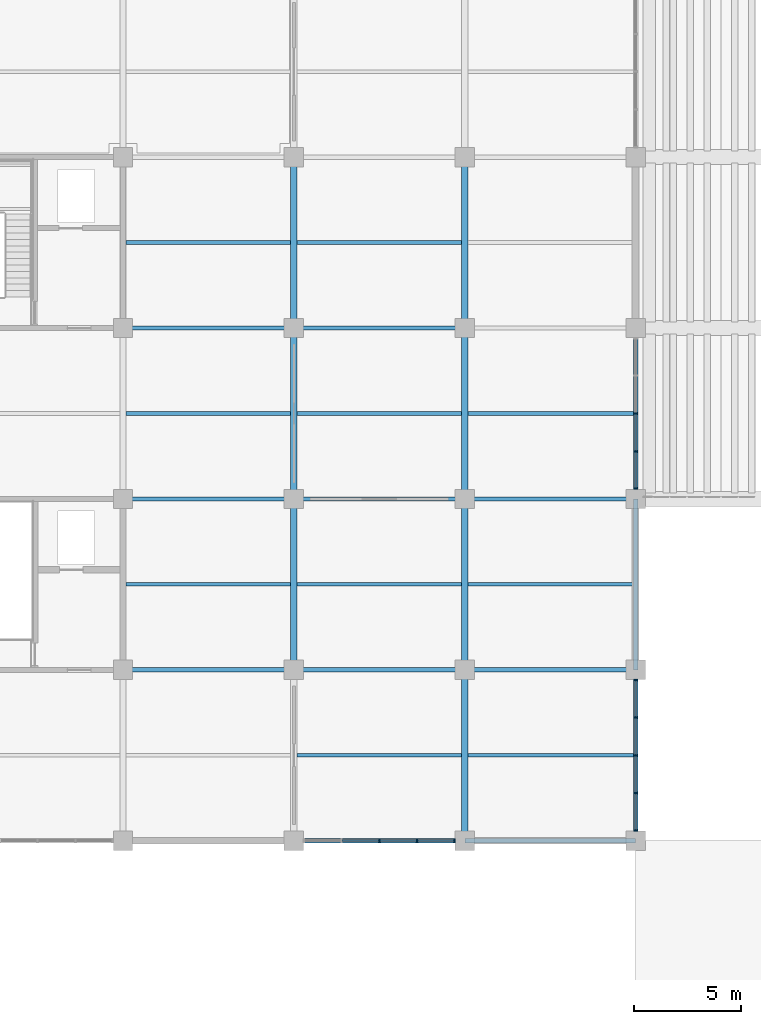
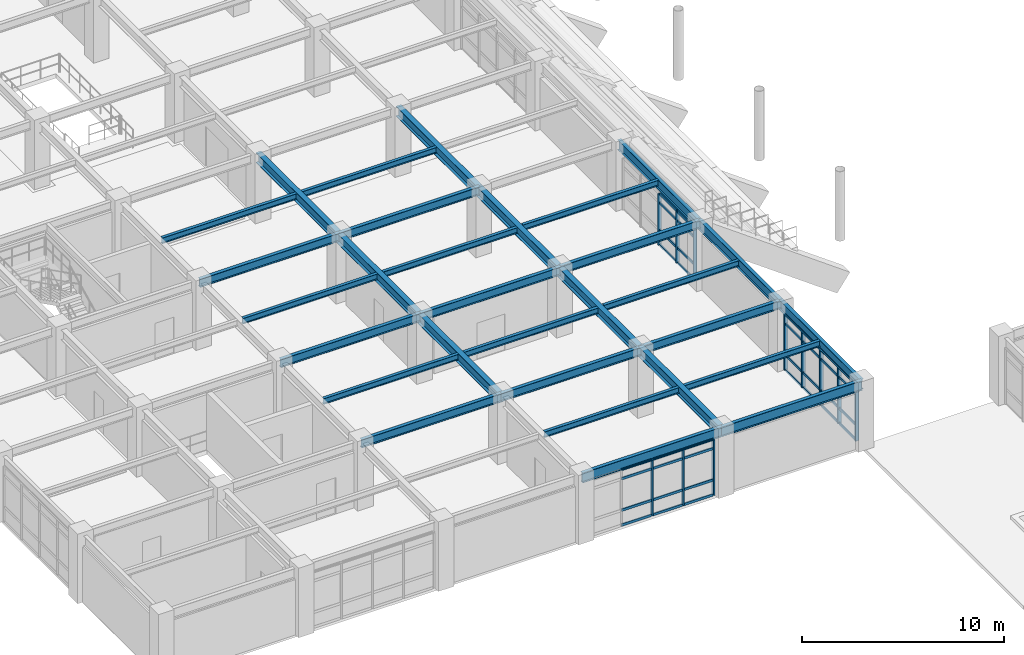
# One storey, part 19 of 118: 47 members, 30 beams, 3 elements without a shape of their own.
"""IFC4 building model written with IfcOpenShell, lengths in metres."""

from ifc_helpers import new_model, si_unit, direction, frame, origin, origin_2d, place, context, subcontext, project, spatial, rectangle, i_section, extrude, material, layer, layer_set, material_profile, profile_set, type_object, element, aggregate, save


model = new_model("IFC4")

# Units and contexts
model_context = context("Model", 3, precision=1e-05, world=origin(), true_north=direction((0.0, 1.0)))
body_context = subcontext(model_context, "Body", "Model", "MODEL_VIEW")
ifc_project = project(units=[si_unit("LENGTHUNIT", "METRE"), si_unit("AREAUNIT", "SQUARE_METRE"), si_unit("VOLUMEUNIT", "CUBIC_METRE"), si_unit("PLANEANGLEUNIT", "RADIAN"), si_unit("MASSUNIT", "GRAM", prefix="KILO")], contexts=[model_context])

# Site, building, storey
site_placement = place(None, origin())
site = spatial("IfcSite", under=ifc_project, at=site_placement, CompositionType="ELEMENT")
building_placement = place(site_placement, origin())
building = spatial("IfcBuilding", under=site, at=building_placement, Name="Haebicheon Civic Stadium", CompositionType="ELEMENT")
storey_placement = place(building_placement, frame((0.0, 0.0, 14.39990234375)))
storey = spatial("IfcBuildingStorey", under=building, at=storey_placement, Name="L04", CompositionType="ELEMENT", Elevation=14.39990234375)

# Beams
ifc_material_1 = material(Name="Steel SM355 (S355)", Category="steel")
ifc_material_profile_1 = material_profile(ifc_material_1, i_section(OverallWidth=0.199951171875, OverallDepth=0.5, WebThickness=0.010009765625, FlangeThickness=0.01611328125, at=origin_2d()), Name="H-500x200x10x16")
ifc_profile_set_1 = profile_set([ifc_material_profile_1], Name="Steel SM355 (S355)")
beam_type_1 = type_object("IfcBeamType", Name="BM-ST-H500", PredefinedType="BEAM", material=ifc_profile_set_1)
for number, where, z_axis, x_axis, name in (
    (1, (40.0, 40.0, 3.690185546875), (1.0, 0.0, 0.0), (0.0, 1.0, 0.0), "L04 beam F/6-7"),
    (2, (40.0, 48.0, 3.690185546875), (1.0, 0.0, 0.0), (0.0, 1.0, 0.0), "L04 beam G/6-7"),
    (3, (40.0, 56.0, 3.690185546875), (1.0, 0.0, 0.0), (0.0, 1.0, 0.0), "L04 beam H/6-7"),
    (4, (48.0, 40.0, 3.690185546875), (1.0, 0.0, 0.0), (0.0, 1.0, 0.0), "L04 beam F/7-8"),
    (5, (48.0, 48.0, 3.690185546875), (1.0, 0.0, 0.0), (0.0, 1.0, 0.0), "L04 beam G/7-8"),
    (6, (48.0, 56.0, 3.690185546875), (1.0, 0.0, 0.0), (0.0, 1.0, 0.0), "L04 beam H/7-8"),
    (7, (56.0, 40.0, 3.72998046875), (1.0, 0.0, 0.0), (0.0, 1.0, 0.0), "L04 beam F/8-9"),
    (8, (56.0, 48.0, 3.72998046875), (1.0, 0.0, 0.0), (0.0, 1.0, 0.0), "L04 beam G/8-9"),
):
    element("IfcBeam", number, at=place(storey_placement, frame(where, z_axis=z_axis, x_axis=x_axis)), inside=storey, type_object=beam_type_1, material=ifc_profile_set_1, Name=name, PredefinedType="BEAM", context=body_context, shape_type="SweptSolid", body=[
        extrude(i_section(OverallWidth=0.199951171875, OverallDepth=0.5, WebThickness=0.010009765625, FlangeThickness=0.01611328125, at=origin_2d()), origin(), (0.0, 0.0, 1.0), 8.0),
    ])
ifc_material_2 = material(Name="Steel SM355 (S355)", Category="steel")
ifc_material_profile_2 = material_profile(ifc_material_2, i_section(OverallWidth=0.300048828125, OverallDepth=0.60009765625, WebThickness=0.011962890625, FlangeThickness=0.02001953125, at=origin_2d()), Name="H-600x300x12x20")
ifc_profile_set_2 = profile_set([ifc_material_profile_2], Name="Steel SM355 (S355)")
beam_type_2 = type_object("IfcBeamType", Name="BM-ST-H600A", PredefinedType="BEAM", material=ifc_profile_set_2)
for number, where, z_axis, x_axis, name in (
    (9, (48.0, 40.0, 3.64013671875), (0.0, 1.0, 0.0), (-1.0, 0.0, 0.0), "L04 girder 7/F-G"),
    (10, (48.0, 48.0, 3.64013671875), (0.0, 1.0, 0.0), (-1.0, 0.0, 0.0), "L04 girder 7/G-H"),
    (11, (48.0, 56.0, 3.64013671875), (0.0, 1.0, 0.0), (-1.0, 0.0, 0.0), "L04 girder 7/H-J"),
    (12, (56.0, 32.0, 3.68017578125), (0.0, 1.0, 0.0), (-1.0, 0.0, 0.0), "L04 girder 8/E-F"),
    (13, (56.0, 40.0, 3.64013671875), (0.0, 1.0, 0.0), (-1.0, 0.0, 0.0), "L04 girder 8/F-G"),
    (14, (56.0, 48.0, 3.64013671875), (0.0, 1.0, 0.0), (-1.0, 0.0, 0.0), "L04 girder 8/G-H"),
    (15, (56.0, 56.0, 3.64013671875), (0.0, 1.0, 0.0), (-1.0, 0.0, 0.0), "L04 girder 8/H-J"),
):
    element("IfcBeam", number, at=place(storey_placement, frame(where, z_axis=z_axis, x_axis=x_axis)), inside=storey, type_object=beam_type_2, material=ifc_profile_set_2, Name=name, PredefinedType="BEAM", context=body_context, shape_type="SweptSolid", body=[
        extrude(i_section(OverallWidth=0.300048828125, OverallDepth=0.60009765625, WebThickness=0.011962890625, FlangeThickness=0.02001953125, at=origin_2d()), origin(), (0.0, 0.0, 1.0), 8.0),
    ])

# Curtain wall, members
ifc_material_3 = material(Name="Anodised aluminium and laminated glass", Category="aluminium")
ifc_layer_1 = layer(ifc_material_3, 0.179931640625, Name="Anodised aluminium and laminated glass")
ifc_layer_set_1 = layer_set([ifc_layer_1], Name="Anodised aluminium and laminated glass")
curtain_wall_type_1 = type_object("IfcCurtainWallType", Name="CW-7100x3350", PredefinedType="NOTDEFINED", material=ifc_layer_set_1)
curtain_wall_1_placement = place(storey_placement, origin())
curtain_wall_1 = element("IfcCurtainWall", 16, at=curtain_wall_1_placement, inside=storey, type_object=curtain_wall_type_1, material=ifc_layer_set_1, Name="L04 unitised curtain wall 115", PredefinedType="NOTDEFINED")
ifc_material_4 = material(Name="Anodised aluminium 6063-T6", Category="aluminium")
ifc_material_profile_3 = material_profile(ifc_material_4, rectangle(XDim=0.070068359375, YDim=0.199951171875, at=origin_2d()), Name="ALU-MULL-70x200")
ifc_profile_set_3 = profile_set([ifc_material_profile_3], Name="Anodised aluminium 6063-T6")
member_type_1 = type_object("IfcMemberType", Name="CWM-200x70", PredefinedType="MULLION", material=ifc_profile_set_3)
member_1_placement = place(storey_placement, frame((52.0, 32.0, 0.0), z_axis=(0.0, 0.0, 1.0), x_axis=(1.0, 0.0, 0.0)))
member_1 = element("IfcMember", 17, at=member_1_placement, type_object=member_type_1, material=ifc_profile_set_3, Name="CW-L04-115 vertical mullion 3", PredefinedType="MULLION", context=body_context, shape_type="SweptSolid", body=[
    extrude(rectangle(XDim=0.070068359375, YDim=0.199951171875, at=origin_2d()), origin(), (0.0, 0.0, 1.0), 3.35009765625),
])
member_2_placement = place(storey_placement, frame((53.77490234375, 32.0, 0.0), z_axis=(0.0, 0.0, 1.0), x_axis=(1.0, 0.0, 0.0)))
member_2 = element("IfcMember", 18, at=member_2_placement, type_object=member_type_1, material=ifc_profile_set_3, Name="CW-L04-115 vertical mullion 4", PredefinedType="MULLION", context=body_context, shape_type="SweptSolid", body=[
    extrude(rectangle(XDim=0.070068359375, YDim=0.199951171875, at=origin_2d()), origin(), (0.0, 0.0, 1.0), 3.35009765625),
])
member_3_placement = place(storey_placement, frame((55.514892578125, 32.0, 0.0), z_axis=(0.0, 0.0, 1.0), x_axis=(1.0, 0.0, 0.0)))
member_3 = element("IfcMember", 19, at=member_3_placement, type_object=member_type_1, material=ifc_profile_set_3, Name="CW-L04-115 vertical mullion 5", PredefinedType="MULLION", context=body_context, shape_type="SweptSolid", body=[
    extrude(rectangle(XDim=0.070068359375, YDim=0.199951171875, at=origin_2d()), origin(), (0.0, 0.0, 1.0), 3.35009765625),
])

curtain_wall_2_placement = place(storey_placement, origin())
curtain_wall_2 = element("IfcCurtainWall", 20, at=curtain_wall_2_placement, inside=storey, type_object=curtain_wall_type_1, material=ifc_layer_set_1, Name="L04 unitised curtain wall 116", PredefinedType="NOTDEFINED")
member_4_placement = place(storey_placement, frame((64.0, 32.485107421875, 0.0), z_axis=(0.0, 0.0, 1.0), x_axis=(0.0, 1.0, 0.0)))
member_4 = element("IfcMember", 21, at=member_4_placement, type_object=member_type_1, material=ifc_profile_set_3, Name="CW-L04-116 vertical mullion 1", PredefinedType="MULLION", context=body_context, shape_type="SweptSolid", body=[
    extrude(rectangle(XDim=0.070068359375, YDim=0.199951171875, at=origin_2d()), origin(), (0.0, 0.0, 1.0), 3.35009765625),
])
member_5_placement = place(storey_placement, frame((64.0, 34.22509765625, 0.0), z_axis=(0.0, 0.0, 1.0), x_axis=(0.0, 1.0, 0.0)))
member_5 = element("IfcMember", 22, at=member_5_placement, type_object=member_type_1, material=ifc_profile_set_3, Name="CW-L04-116 vertical mullion 2", PredefinedType="MULLION", context=body_context, shape_type="SweptSolid", body=[
    extrude(rectangle(XDim=0.070068359375, YDim=0.199951171875, at=origin_2d()), origin(), (0.0, 0.0, 1.0), 3.35009765625),
])
member_6_placement = place(storey_placement, frame((64.0, 36.0, 0.0), z_axis=(0.0, 0.0, 1.0), x_axis=(0.0, 1.0, 0.0)))
member_6 = element("IfcMember", 23, at=member_6_placement, type_object=member_type_1, material=ifc_profile_set_3, Name="CW-L04-116 vertical mullion 3", PredefinedType="MULLION", context=body_context, shape_type="SweptSolid", body=[
    extrude(rectangle(XDim=0.070068359375, YDim=0.199951171875, at=origin_2d()), origin(), (0.0, 0.0, 1.0), 3.35009765625),
])
member_7_placement = place(storey_placement, frame((64.0, 37.77490234375, 0.0), z_axis=(0.0, 0.0, 1.0), x_axis=(0.0, 1.0, 0.0)))
member_7 = element("IfcMember", 24, at=member_7_placement, type_object=member_type_1, material=ifc_profile_set_3, Name="CW-L04-116 vertical mullion 4", PredefinedType="MULLION", context=body_context, shape_type="SweptSolid", body=[
    extrude(rectangle(XDim=0.070068359375, YDim=0.199951171875, at=origin_2d()), origin(), (0.0, 0.0, 1.0), 3.35009765625),
])
member_8_placement = place(storey_placement, frame((64.0, 39.514892578125, 0.0), z_axis=(0.0, 0.0, 1.0), x_axis=(0.0, 1.0, 0.0)))
member_8 = element("IfcMember", 25, at=member_8_placement, type_object=member_type_1, material=ifc_profile_set_3, Name="CW-L04-116 vertical mullion 5", PredefinedType="MULLION", context=body_context, shape_type="SweptSolid", body=[
    extrude(rectangle(XDim=0.070068359375, YDim=0.199951171875, at=origin_2d()), origin(), (0.0, 0.0, 1.0), 3.35009765625),
])

ifc_material_5 = material(Name="Anodised aluminium and laminated glass", Category="aluminium")
ifc_layer_2 = layer(ifc_material_5, 0.179931640625, Name="Anodised aluminium and laminated glass")
ifc_layer_set_2 = layer_set([ifc_layer_2], Name="Anodised aluminium and laminated glass")
curtain_wall_type_2 = type_object("IfcCurtainWallType", Name="CW-7100x3100", PredefinedType="NOTDEFINED", material=ifc_layer_set_2)
curtain_wall_3_placement = place(storey_placement, origin())
curtain_wall_3 = element("IfcCurtainWall", 26, at=curtain_wall_3_placement, inside=storey, type_object=curtain_wall_type_2, material=ifc_layer_set_2, Name="L04 unitised curtain wall 117", PredefinedType="NOTDEFINED")
member_9_placement = place(storey_placement, frame((64.0, 48.485107421875, 0.0), z_axis=(0.0, 0.0, 1.0), x_axis=(0.0, 1.0, 0.0)))
member_9 = element("IfcMember", 27, at=member_9_placement, type_object=member_type_1, material=ifc_profile_set_3, Name="CW-L04-117 vertical mullion 1", PredefinedType="MULLION", context=body_context, shape_type="SweptSolid", body=[
    extrude(rectangle(XDim=0.070068359375, YDim=0.199951171875, at=origin_2d()), origin(), (0.0, 0.0, 1.0), 3.10009765625),
])
member_10_placement = place(storey_placement, frame((64.0, 50.22509765625, 0.0), z_axis=(0.0, 0.0, 1.0), x_axis=(0.0, 1.0, 0.0)))
member_10 = element("IfcMember", 28, at=member_10_placement, type_object=member_type_1, material=ifc_profile_set_3, Name="CW-L04-117 vertical mullion 2", PredefinedType="MULLION", context=body_context, shape_type="SweptSolid", body=[
    extrude(rectangle(XDim=0.070068359375, YDim=0.199951171875, at=origin_2d()), origin(), (0.0, 0.0, 1.0), 3.10009765625),
])
member_11_placement = place(storey_placement, frame((64.0, 52.0, 0.0), z_axis=(0.0, 0.0, 1.0), x_axis=(0.0, 1.0, 0.0)))
member_11 = element("IfcMember", 29, at=member_11_placement, type_object=member_type_1, material=ifc_profile_set_3, Name="CW-L04-117 vertical mullion 3", PredefinedType="MULLION", context=body_context, shape_type="SweptSolid", body=[
    extrude(rectangle(XDim=0.070068359375, YDim=0.199951171875, at=origin_2d()), origin(), (0.0, 0.0, 1.0), 3.10009765625),
])

# Member
ifc_material_6 = material(Name="Anodised aluminium 6063-T6", Category="aluminium")
ifc_material_profile_4 = material_profile(ifc_material_6, rectangle(XDim=0.070068359375, YDim=0.14990234375, at=origin_2d()), Name="ALU-TRAN-70x150")
ifc_profile_set_4 = profile_set([ifc_material_profile_4], Name="Anodised aluminium 6063-T6")
member_type_2 = type_object("IfcMemberType", Name="CWT-150x70", PredefinedType="NOTDEFINED", material=ifc_profile_set_4)
member_12_placement = place(storey_placement, frame((50.260009765625, 32.0, 0.0), z_axis=(1.0, 0.0, 0.0), x_axis=(0.0, 1.0, 0.0)))
member_12 = element("IfcMember", 30, at=member_12_placement, type_object=member_type_2, material=ifc_profile_set_4, Name="CW-L04-115 horizontal transom 2.1", ObjectType="TRANSOM", PredefinedType="USERDEFINED", context=body_context, shape_type="SweptSolid", body=[
    extrude(rectangle(XDim=0.070068359375, YDim=0.14990234375, at=origin_2d()), origin(), (0.0, 0.0, 1.0), 1.705078125),
])

member_13_placement = place(storey_placement, frame((50.260009765625, 32.0, 0.900146484375), z_axis=(1.0, 0.0, 0.0), x_axis=(0.0, 1.0, 0.0)))
member_13 = element("IfcMember", 31, at=member_13_placement, type_object=member_type_2, material=ifc_profile_set_4, Name="CW-L04-115 horizontal transom 2.2", ObjectType="TRANSOM", PredefinedType="USERDEFINED", context=body_context, shape_type="SweptSolid", body=[
    extrude(rectangle(XDim=0.070068359375, YDim=0.14990234375, at=origin_2d()), origin(), (0.0, 0.0, 1.0), 1.705078125),
])

member_14_placement = place(storey_placement, frame((50.260009765625, 32.0, 2.800048828125), z_axis=(1.0, 0.0, 0.0), x_axis=(0.0, 1.0, 0.0)))
member_14 = element("IfcMember", 32, at=member_14_placement, type_object=member_type_2, material=ifc_profile_set_4, Name="CW-L04-115 horizontal transom 2.3", ObjectType="TRANSOM", PredefinedType="USERDEFINED", context=body_context, shape_type="SweptSolid", body=[
    extrude(rectangle(XDim=0.070068359375, YDim=0.14990234375, at=origin_2d()), origin(), (0.0, 0.0, 1.0), 1.705078125),
])

member_15_placement = place(storey_placement, frame((50.260009765625, 32.0, 3.35009765625), z_axis=(1.0, 0.0, 0.0), x_axis=(0.0, 1.0, 0.0)))
member_15 = element("IfcMember", 33, at=member_15_placement, type_object=member_type_2, material=ifc_profile_set_4, Name="CW-L04-115 horizontal transom 2.4", ObjectType="TRANSOM", PredefinedType="USERDEFINED", context=body_context, shape_type="SweptSolid", body=[
    extrude(rectangle(XDim=0.070068359375, YDim=0.14990234375, at=origin_2d()), origin(), (0.0, 0.0, 1.0), 1.705078125),
])

member_16_placement = place(storey_placement, frame((52.034912109375, 32.0, 0.0), z_axis=(1.0, 0.0, 0.0), x_axis=(0.0, 1.0, 0.0)))
member_16 = element("IfcMember", 34, at=member_16_placement, type_object=member_type_2, material=ifc_profile_set_4, Name="CW-L04-115 horizontal transom 3.1", ObjectType="TRANSOM", PredefinedType="USERDEFINED", context=body_context, shape_type="SweptSolid", body=[
    extrude(rectangle(XDim=0.070068359375, YDim=0.14990234375, at=origin_2d()), origin(), (0.0, 0.0, 1.0), 1.705078125),
])

member_17_placement = place(storey_placement, frame((52.034912109375, 32.0, 0.900146484375), z_axis=(1.0, 0.0, 0.0), x_axis=(0.0, 1.0, 0.0)))
member_17 = element("IfcMember", 35, at=member_17_placement, type_object=member_type_2, material=ifc_profile_set_4, Name="CW-L04-115 horizontal transom 3.2", ObjectType="TRANSOM", PredefinedType="USERDEFINED", context=body_context, shape_type="SweptSolid", body=[
    extrude(rectangle(XDim=0.070068359375, YDim=0.14990234375, at=origin_2d()), origin(), (0.0, 0.0, 1.0), 1.705078125),
])

member_18_placement = place(storey_placement, frame((52.034912109375, 32.0, 2.800048828125), z_axis=(1.0, 0.0, 0.0), x_axis=(0.0, 1.0, 0.0)))
member_18 = element("IfcMember", 36, at=member_18_placement, type_object=member_type_2, material=ifc_profile_set_4, Name="CW-L04-115 horizontal transom 3.3", ObjectType="TRANSOM", PredefinedType="USERDEFINED", context=body_context, shape_type="SweptSolid", body=[
    extrude(rectangle(XDim=0.070068359375, YDim=0.14990234375, at=origin_2d()), origin(), (0.0, 0.0, 1.0), 1.705078125),
])

member_19_placement = place(storey_placement, frame((52.034912109375, 32.0, 3.35009765625), z_axis=(1.0, 0.0, 0.0), x_axis=(0.0, 1.0, 0.0)))
member_19 = element("IfcMember", 37, at=member_19_placement, type_object=member_type_2, material=ifc_profile_set_4, Name="CW-L04-115 horizontal transom 3.4", ObjectType="TRANSOM", PredefinedType="USERDEFINED", context=body_context, shape_type="SweptSolid", body=[
    extrude(rectangle(XDim=0.070068359375, YDim=0.14990234375, at=origin_2d()), origin(), (0.0, 0.0, 1.0), 1.705078125),
])

member_20_placement = place(storey_placement, frame((53.81005859375, 32.0, 0.0), z_axis=(1.0, 0.0, 0.0), x_axis=(0.0, 1.0, 0.0)))
member_20 = element("IfcMember", 38, at=member_20_placement, type_object=member_type_2, material=ifc_profile_set_4, Name="CW-L04-115 horizontal transom 4.1", ObjectType="TRANSOM", PredefinedType="USERDEFINED", context=body_context, shape_type="SweptSolid", body=[
    extrude(rectangle(XDim=0.070068359375, YDim=0.14990234375, at=origin_2d()), origin(), (0.0, 0.0, 1.0), 1.669921875),
])

member_21_placement = place(storey_placement, frame((53.81005859375, 32.0, 0.900146484375), z_axis=(1.0, 0.0, 0.0), x_axis=(0.0, 1.0, 0.0)))
member_21 = element("IfcMember", 39, at=member_21_placement, type_object=member_type_2, material=ifc_profile_set_4, Name="CW-L04-115 horizontal transom 4.2", ObjectType="TRANSOM", PredefinedType="USERDEFINED", context=body_context, shape_type="SweptSolid", body=[
    extrude(rectangle(XDim=0.070068359375, YDim=0.14990234375, at=origin_2d()), origin(), (0.0, 0.0, 1.0), 1.669921875),
])

member_22_placement = place(storey_placement, frame((53.81005859375, 32.0, 2.800048828125), z_axis=(1.0, 0.0, 0.0), x_axis=(0.0, 1.0, 0.0)))
member_22 = element("IfcMember", 40, at=member_22_placement, type_object=member_type_2, material=ifc_profile_set_4, Name="CW-L04-115 horizontal transom 4.3", ObjectType="TRANSOM", PredefinedType="USERDEFINED", context=body_context, shape_type="SweptSolid", body=[
    extrude(rectangle(XDim=0.070068359375, YDim=0.14990234375, at=origin_2d()), origin(), (0.0, 0.0, 1.0), 1.669921875),
])

member_23_placement = place(storey_placement, frame((53.81005859375, 32.0, 3.35009765625), z_axis=(1.0, 0.0, 0.0), x_axis=(0.0, 1.0, 0.0)))
member_23 = element("IfcMember", 41, at=member_23_placement, type_object=member_type_2, material=ifc_profile_set_4, Name="CW-L04-115 horizontal transom 4.4", ObjectType="TRANSOM", PredefinedType="USERDEFINED", context=body_context, shape_type="SweptSolid", body=[
    extrude(rectangle(XDim=0.070068359375, YDim=0.14990234375, at=origin_2d()), origin(), (0.0, 0.0, 1.0), 1.669921875),
])

aggregate(curtain_wall_1, [member_1, member_2, member_3, member_12, member_13, member_14, member_15, member_16, member_17, member_18, member_19, member_20, member_21, member_22, member_23])

member_24_placement = place(storey_placement, frame((64.0, 32.52001953125, 0.0), z_axis=(0.0, 1.0, 0.0), x_axis=(-1.0, 0.0, 0.0)))
member_24 = element("IfcMember", 42, at=member_24_placement, type_object=member_type_2, material=ifc_profile_set_4, Name="CW-L04-116 horizontal transom 1.1", ObjectType="TRANSOM", PredefinedType="USERDEFINED", context=body_context, shape_type="SweptSolid", body=[
    extrude(rectangle(XDim=0.070068359375, YDim=0.14990234375, at=origin_2d()), origin(), (0.0, 0.0, 1.0), 1.669921875),
])

member_25_placement = place(storey_placement, frame((64.0, 32.52001953125, 0.900146484375), z_axis=(0.0, 1.0, 0.0), x_axis=(-1.0, 0.0, 0.0)))
member_25 = element("IfcMember", 43, at=member_25_placement, type_object=member_type_2, material=ifc_profile_set_4, Name="CW-L04-116 horizontal transom 1.2", ObjectType="TRANSOM", PredefinedType="USERDEFINED", context=body_context, shape_type="SweptSolid", body=[
    extrude(rectangle(XDim=0.070068359375, YDim=0.14990234375, at=origin_2d()), origin(), (0.0, 0.0, 1.0), 1.669921875),
])

member_26_placement = place(storey_placement, frame((64.0, 32.52001953125, 2.800048828125), z_axis=(0.0, 1.0, 0.0), x_axis=(-1.0, 0.0, 0.0)))
member_26 = element("IfcMember", 44, at=member_26_placement, type_object=member_type_2, material=ifc_profile_set_4, Name="CW-L04-116 horizontal transom 1.3", ObjectType="TRANSOM", PredefinedType="USERDEFINED", context=body_context, shape_type="SweptSolid", body=[
    extrude(rectangle(XDim=0.070068359375, YDim=0.14990234375, at=origin_2d()), origin(), (0.0, 0.0, 1.0), 1.669921875),
])

member_27_placement = place(storey_placement, frame((64.0, 32.52001953125, 3.35009765625), z_axis=(0.0, 1.0, 0.0), x_axis=(-1.0, 0.0, 0.0)))
member_27 = element("IfcMember", 45, at=member_27_placement, type_object=member_type_2, material=ifc_profile_set_4, Name="CW-L04-116 horizontal transom 1.4", ObjectType="TRANSOM", PredefinedType="USERDEFINED", context=body_context, shape_type="SweptSolid", body=[
    extrude(rectangle(XDim=0.070068359375, YDim=0.14990234375, at=origin_2d()), origin(), (0.0, 0.0, 1.0), 1.669921875),
])

member_28_placement = place(storey_placement, frame((64.0, 34.260009765625, 0.0), z_axis=(0.0, 1.0, 0.0), x_axis=(-1.0, 0.0, 0.0)))
member_28 = element("IfcMember", 46, at=member_28_placement, type_object=member_type_2, material=ifc_profile_set_4, Name="CW-L04-116 horizontal transom 2.1", ObjectType="TRANSOM", PredefinedType="USERDEFINED", context=body_context, shape_type="SweptSolid", body=[
    extrude(rectangle(XDim=0.070068359375, YDim=0.14990234375, at=origin_2d()), origin(), (0.0, 0.0, 1.0), 1.705078125),
])

member_29_placement = place(storey_placement, frame((64.0, 34.260009765625, 0.900146484375), z_axis=(0.0, 1.0, 0.0), x_axis=(-1.0, 0.0, 0.0)))
member_29 = element("IfcMember", 47, at=member_29_placement, type_object=member_type_2, material=ifc_profile_set_4, Name="CW-L04-116 horizontal transom 2.2", ObjectType="TRANSOM", PredefinedType="USERDEFINED", context=body_context, shape_type="SweptSolid", body=[
    extrude(rectangle(XDim=0.070068359375, YDim=0.14990234375, at=origin_2d()), origin(), (0.0, 0.0, 1.0), 1.705078125),
])

member_30_placement = place(storey_placement, frame((64.0, 34.260009765625, 2.800048828125), z_axis=(0.0, 1.0, 0.0), x_axis=(-1.0, 0.0, 0.0)))
member_30 = element("IfcMember", 48, at=member_30_placement, type_object=member_type_2, material=ifc_profile_set_4, Name="CW-L04-116 horizontal transom 2.3", ObjectType="TRANSOM", PredefinedType="USERDEFINED", context=body_context, shape_type="SweptSolid", body=[
    extrude(rectangle(XDim=0.070068359375, YDim=0.14990234375, at=origin_2d()), origin(), (0.0, 0.0, 1.0), 1.705078125),
])

member_31_placement = place(storey_placement, frame((64.0, 34.260009765625, 3.35009765625), z_axis=(0.0, 1.0, 0.0), x_axis=(-1.0, 0.0, 0.0)))
member_31 = element("IfcMember", 49, at=member_31_placement, type_object=member_type_2, material=ifc_profile_set_4, Name="CW-L04-116 horizontal transom 2.4", ObjectType="TRANSOM", PredefinedType="USERDEFINED", context=body_context, shape_type="SweptSolid", body=[
    extrude(rectangle(XDim=0.070068359375, YDim=0.14990234375, at=origin_2d()), origin(), (0.0, 0.0, 1.0), 1.705078125),
])

member_32_placement = place(storey_placement, frame((64.0, 36.034912109375, 0.0), z_axis=(0.0, 1.0, 0.0), x_axis=(-1.0, 0.0, 0.0)))
member_32 = element("IfcMember", 50, at=member_32_placement, type_object=member_type_2, material=ifc_profile_set_4, Name="CW-L04-116 horizontal transom 3.1", ObjectType="TRANSOM", PredefinedType="USERDEFINED", context=body_context, shape_type="SweptSolid", body=[
    extrude(rectangle(XDim=0.070068359375, YDim=0.14990234375, at=origin_2d()), origin(), (0.0, 0.0, 1.0), 1.705078125),
])

member_33_placement = place(storey_placement, frame((64.0, 36.034912109375, 0.900146484375), z_axis=(0.0, 1.0, 0.0), x_axis=(-1.0, 0.0, 0.0)))
member_33 = element("IfcMember", 51, at=member_33_placement, type_object=member_type_2, material=ifc_profile_set_4, Name="CW-L04-116 horizontal transom 3.2", ObjectType="TRANSOM", PredefinedType="USERDEFINED", context=body_context, shape_type="SweptSolid", body=[
    extrude(rectangle(XDim=0.070068359375, YDim=0.14990234375, at=origin_2d()), origin(), (0.0, 0.0, 1.0), 1.705078125),
])

member_34_placement = place(storey_placement, frame((64.0, 36.034912109375, 2.800048828125), z_axis=(0.0, 1.0, 0.0), x_axis=(-1.0, 0.0, 0.0)))
member_34 = element("IfcMember", 52, at=member_34_placement, type_object=member_type_2, material=ifc_profile_set_4, Name="CW-L04-116 horizontal transom 3.3", ObjectType="TRANSOM", PredefinedType="USERDEFINED", context=body_context, shape_type="SweptSolid", body=[
    extrude(rectangle(XDim=0.070068359375, YDim=0.14990234375, at=origin_2d()), origin(), (0.0, 0.0, 1.0), 1.705078125),
])

member_35_placement = place(storey_placement, frame((64.0, 36.034912109375, 3.35009765625), z_axis=(0.0, 1.0, 0.0), x_axis=(-1.0, 0.0, 0.0)))
member_35 = element("IfcMember", 53, at=member_35_placement, type_object=member_type_2, material=ifc_profile_set_4, Name="CW-L04-116 horizontal transom 3.4", ObjectType="TRANSOM", PredefinedType="USERDEFINED", context=body_context, shape_type="SweptSolid", body=[
    extrude(rectangle(XDim=0.070068359375, YDim=0.14990234375, at=origin_2d()), origin(), (0.0, 0.0, 1.0), 1.705078125),
])

member_36_placement = place(storey_placement, frame((64.0, 37.81005859375, 0.0), z_axis=(0.0, 1.0, 0.0), x_axis=(-1.0, 0.0, 0.0)))
member_36 = element("IfcMember", 54, at=member_36_placement, type_object=member_type_2, material=ifc_profile_set_4, Name="CW-L04-116 horizontal transom 4.1", ObjectType="TRANSOM", PredefinedType="USERDEFINED", context=body_context, shape_type="SweptSolid", body=[
    extrude(rectangle(XDim=0.070068359375, YDim=0.14990234375, at=origin_2d()), origin(), (0.0, 0.0, 1.0), 1.669921875),
])

member_37_placement = place(storey_placement, frame((64.0, 37.81005859375, 0.900146484375), z_axis=(0.0, 1.0, 0.0), x_axis=(-1.0, 0.0, 0.0)))
member_37 = element("IfcMember", 55, at=member_37_placement, type_object=member_type_2, material=ifc_profile_set_4, Name="CW-L04-116 horizontal transom 4.2", ObjectType="TRANSOM", PredefinedType="USERDEFINED", context=body_context, shape_type="SweptSolid", body=[
    extrude(rectangle(XDim=0.070068359375, YDim=0.14990234375, at=origin_2d()), origin(), (0.0, 0.0, 1.0), 1.669921875),
])

member_38_placement = place(storey_placement, frame((64.0, 37.81005859375, 2.800048828125), z_axis=(0.0, 1.0, 0.0), x_axis=(-1.0, 0.0, 0.0)))
member_38 = element("IfcMember", 56, at=member_38_placement, type_object=member_type_2, material=ifc_profile_set_4, Name="CW-L04-116 horizontal transom 4.3", ObjectType="TRANSOM", PredefinedType="USERDEFINED", context=body_context, shape_type="SweptSolid", body=[
    extrude(rectangle(XDim=0.070068359375, YDim=0.14990234375, at=origin_2d()), origin(), (0.0, 0.0, 1.0), 1.669921875),
])

member_39_placement = place(storey_placement, frame((64.0, 37.81005859375, 3.35009765625), z_axis=(0.0, 1.0, 0.0), x_axis=(-1.0, 0.0, 0.0)))
member_39 = element("IfcMember", 57, at=member_39_placement, type_object=member_type_2, material=ifc_profile_set_4, Name="CW-L04-116 horizontal transom 4.4", ObjectType="TRANSOM", PredefinedType="USERDEFINED", context=body_context, shape_type="SweptSolid", body=[
    extrude(rectangle(XDim=0.070068359375, YDim=0.14990234375, at=origin_2d()), origin(), (0.0, 0.0, 1.0), 1.669921875),
])

aggregate(curtain_wall_2, [member_4, member_5, member_6, member_7, member_8, member_24, member_25, member_26, member_27, member_28, member_29, member_30, member_31, member_32, member_33, member_34, member_35, member_36, member_37, member_38, member_39])

member_40_placement = place(storey_placement, frame((64.0, 48.52001953125, 0.0), z_axis=(0.0, 1.0, 0.0), x_axis=(-1.0, 0.0, 0.0)))
member_40 = element("IfcMember", 58, at=member_40_placement, type_object=member_type_2, material=ifc_profile_set_4, Name="CW-L04-117 horizontal transom 1.1", ObjectType="TRANSOM", PredefinedType="USERDEFINED", context=body_context, shape_type="SweptSolid", body=[
    extrude(rectangle(XDim=0.070068359375, YDim=0.14990234375, at=origin_2d()), origin(), (0.0, 0.0, 1.0), 1.669921875),
])

member_41_placement = place(storey_placement, frame((64.0, 48.52001953125, 0.900146484375), z_axis=(0.0, 1.0, 0.0), x_axis=(-1.0, 0.0, 0.0)))
member_41 = element("IfcMember", 59, at=member_41_placement, type_object=member_type_2, material=ifc_profile_set_4, Name="CW-L04-117 horizontal transom 1.2", ObjectType="TRANSOM", PredefinedType="USERDEFINED", context=body_context, shape_type="SweptSolid", body=[
    extrude(rectangle(XDim=0.070068359375, YDim=0.14990234375, at=origin_2d()), origin(), (0.0, 0.0, 1.0), 1.669921875),
])

member_42_placement = place(storey_placement, frame((64.0, 48.52001953125, 2.550048828125), z_axis=(0.0, 1.0, 0.0), x_axis=(-1.0, 0.0, 0.0)))
member_42 = element("IfcMember", 60, at=member_42_placement, type_object=member_type_2, material=ifc_profile_set_4, Name="CW-L04-117 horizontal transom 1.3", ObjectType="TRANSOM", PredefinedType="USERDEFINED", context=body_context, shape_type="SweptSolid", body=[
    extrude(rectangle(XDim=0.070068359375, YDim=0.14990234375, at=origin_2d()), origin(), (0.0, 0.0, 1.0), 1.669921875),
])

member_43_placement = place(storey_placement, frame((64.0, 48.52001953125, 3.10009765625), z_axis=(0.0, 1.0, 0.0), x_axis=(-1.0, 0.0, 0.0)))
member_43 = element("IfcMember", 61, at=member_43_placement, type_object=member_type_2, material=ifc_profile_set_4, Name="CW-L04-117 horizontal transom 1.4", ObjectType="TRANSOM", PredefinedType="USERDEFINED", context=body_context, shape_type="SweptSolid", body=[
    extrude(rectangle(XDim=0.070068359375, YDim=0.14990234375, at=origin_2d()), origin(), (0.0, 0.0, 1.0), 1.669921875),
])

member_44_placement = place(storey_placement, frame((64.0, 50.260009765625, 0.0), z_axis=(0.0, 1.0, 0.0), x_axis=(-1.0, 0.0, 0.0)))
member_44 = element("IfcMember", 62, at=member_44_placement, type_object=member_type_2, material=ifc_profile_set_4, Name="CW-L04-117 horizontal transom 2.1", ObjectType="TRANSOM", PredefinedType="USERDEFINED", context=body_context, shape_type="SweptSolid", body=[
    extrude(rectangle(XDim=0.070068359375, YDim=0.14990234375, at=origin_2d()), origin(), (0.0, 0.0, 1.0), 1.705078125),
])

member_45_placement = place(storey_placement, frame((64.0, 50.260009765625, 0.900146484375), z_axis=(0.0, 1.0, 0.0), x_axis=(-1.0, 0.0, 0.0)))
member_45 = element("IfcMember", 63, at=member_45_placement, type_object=member_type_2, material=ifc_profile_set_4, Name="CW-L04-117 horizontal transom 2.2", ObjectType="TRANSOM", PredefinedType="USERDEFINED", context=body_context, shape_type="SweptSolid", body=[
    extrude(rectangle(XDim=0.070068359375, YDim=0.14990234375, at=origin_2d()), origin(), (0.0, 0.0, 1.0), 1.705078125),
])

member_46_placement = place(storey_placement, frame((64.0, 50.260009765625, 2.550048828125), z_axis=(0.0, 1.0, 0.0), x_axis=(-1.0, 0.0, 0.0)))
member_46 = element("IfcMember", 64, at=member_46_placement, type_object=member_type_2, material=ifc_profile_set_4, Name="CW-L04-117 horizontal transom 2.3", ObjectType="TRANSOM", PredefinedType="USERDEFINED", context=body_context, shape_type="SweptSolid", body=[
    extrude(rectangle(XDim=0.070068359375, YDim=0.14990234375, at=origin_2d()), origin(), (0.0, 0.0, 1.0), 1.705078125),
])

member_47_placement = place(storey_placement, frame((64.0, 50.260009765625, 3.10009765625), z_axis=(0.0, 1.0, 0.0), x_axis=(-1.0, 0.0, 0.0)))
member_47 = element("IfcMember", 65, at=member_47_placement, type_object=member_type_2, material=ifc_profile_set_4, Name="CW-L04-117 horizontal transom 2.4", ObjectType="TRANSOM", PredefinedType="USERDEFINED", context=body_context, shape_type="SweptSolid", body=[
    extrude(rectangle(XDim=0.070068359375, YDim=0.14990234375, at=origin_2d()), origin(), (0.0, 0.0, 1.0), 1.705078125),
])

aggregate(curtain_wall_3, [member_9, member_10, member_11, member_40, member_41, member_42, member_43, member_44, member_45, member_46, member_47])

# Beams
ifc_material_7 = material(Name="Steel SM355 (S355)", Category="steel")
ifc_material_profile_5 = material_profile(ifc_material_7, i_section(OverallWidth=0.175048828125, OverallDepth=0.35009765625, WebThickness=0.007080078125, FlangeThickness=0.010986328125, at=origin_2d()), Name="H-350x175x7x11")
ifc_profile_set_5 = profile_set([ifc_material_profile_5], Name="Steel SM355 (S355)")
beam_type_3 = type_object("IfcBeamType", Name="JST-ST-H350", PredefinedType="JOIST", material=ifc_profile_set_5)
for number, where, z_axis, x_axis, name in (
    (66, (40.14990234375, 44.0, 3.76513671875), (1.0, 0.0, 0.0), (0.0, 1.0, 0.0), "L04 secondary joist 05-05"),
    (67, (40.14990234375, 52.0, 3.76513671875), (1.0, 0.0, 0.0), (0.0, 1.0, 0.0), "L04 secondary joist 05-06"),
    (68, (40.14990234375, 60.0, 3.76513671875), (1.0, 0.0, 0.0), (0.0, 1.0, 0.0), "L04 secondary joist 05-07"),
    (69, (48.14990234375, 36.0, 3.80517578125), (1.0, 0.0, 0.0), (0.0, 1.0, 0.0), "L04 secondary joist 06-04"),
    (70, (48.14990234375, 44.0, 3.76513671875), (1.0, 0.0, 0.0), (0.0, 1.0, 0.0), "L04 secondary joist 06-05"),
    (71, (48.14990234375, 52.0, 3.76513671875), (1.0, 0.0, 0.0), (0.0, 1.0, 0.0), "L04 secondary joist 06-06"),
    (72, (48.14990234375, 60.0, 3.76513671875), (1.0, 0.0, 0.0), (0.0, 1.0, 0.0), "L04 secondary joist 06-07"),
):
    element("IfcBeam", number, at=place(storey_placement, frame(where, z_axis=z_axis, x_axis=x_axis)), inside=storey, type_object=beam_type_3, material=ifc_profile_set_5, Name=name, PredefinedType="JOIST", context=body_context, shape_type="SweptSolid", body=[
        extrude(i_section(OverallWidth=0.175048828125, OverallDepth=0.35009765625, WebThickness=0.007080078125, FlangeThickness=0.010986328125, at=origin_2d()), origin(), (0.0, 0.0, 1.0), 7.7001953125),
    ])
for number, where, z_axis, x_axis, name in (
    (73, (56.14990234375, 36.0, 3.80517578125), (1.0, 0.0, 0.0), (0.0, 1.0, 0.0), "L04 secondary joist 07-04"),
    (74, (56.14990234375, 44.0, 3.80517578125), (1.0, 0.0, 0.0), (0.0, 1.0, 0.0), "L04 secondary joist 07-05"),
    (75, (56.14990234375, 52.0, 3.80517578125), (1.0, 0.0, 0.0), (0.0, 1.0, 0.0), "L04 secondary joist 07-06"),
):
    element("IfcBeam", number, at=place(storey_placement, frame(where, z_axis=z_axis, x_axis=x_axis)), inside=storey, type_object=beam_type_3, material=ifc_profile_set_5, Name=name, PredefinedType="JOIST", context=body_context, shape_type="SweptSolid", body=[
        extrude(i_section(OverallWidth=0.175048828125, OverallDepth=0.35009765625, WebThickness=0.007080078125, FlangeThickness=0.010986328125, at=origin_2d()), origin(), (0.0, 0.0, 1.0), 7.75),
    ])
ifc_material_8 = material(Name="Steel SM355 (S355)", Category="steel")
ifc_material_profile_6 = material_profile(ifc_material_8, i_section(OverallWidth=0.199951171875, OverallDepth=0.60009765625, WebThickness=0.010986328125, FlangeThickness=0.01708984375, at=origin_2d()), Name="H-600x200x11x17")
ifc_profile_set_6 = profile_set([ifc_material_profile_6], Name="Steel SM355 (S355)")
beam_type_4 = type_object("IfcBeamType", Name="SPD-ST-H600B", PredefinedType="SPANDREL", material=ifc_profile_set_6)
for number, where, z_axis, x_axis, name in (
    (76, (64.0, 32.0, 3.68017578125), (0.0, 1.0, 0.0), (-1.0, 0.0, 0.0), "L04 girder 9/E-F"),
    (77, (64.0, 40.0, 3.68017578125), (0.0, 1.0, 0.0), (-1.0, 0.0, 0.0), "L04 girder 9/F-G"),
    (78, (64.0, 48.0, 3.656005859375), (0.0, 1.0, 0.0), (-1.0, 0.0, 0.0), "L04 girder 9/G-H"),
    (79, (48.0, 32.0, 3.68017578125), (1.0, 0.0, 0.0), (0.0, 1.0, 0.0), "L04 beam E/7-8"),
    (80, (56.0, 32.0, 3.68017578125), (1.0, 0.0, 0.0), (0.0, 1.0, 0.0), "L04 beam E/8-9"),
):
    element("IfcBeam", number, at=place(storey_placement, frame(where, z_axis=z_axis, x_axis=x_axis)), inside=storey, type_object=beam_type_4, material=ifc_profile_set_6, Name=name, PredefinedType="SPANDREL", context=body_context, shape_type="SweptSolid", body=[
        extrude(i_section(OverallWidth=0.199951171875, OverallDepth=0.60009765625, WebThickness=0.010986328125, FlangeThickness=0.01708984375, at=origin_2d()), origin(), (0.0, 0.0, 1.0), 8.0),
    ])

save(model, "model.ifc")
